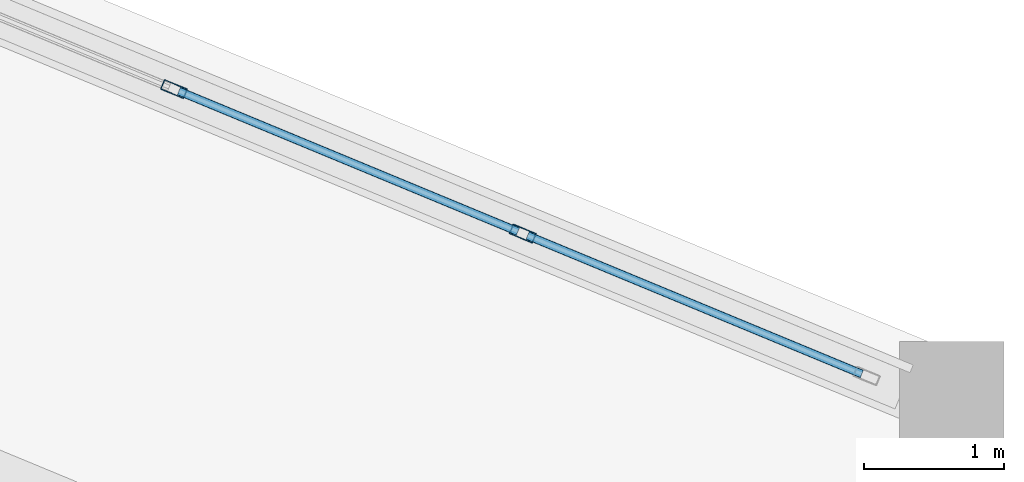
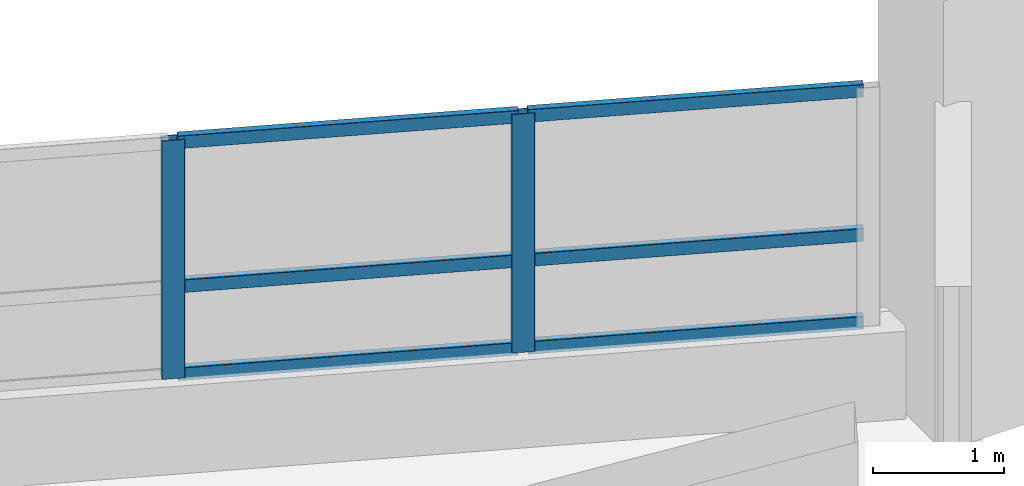
# One storey, part 70 of 128: 8 members, 1 element without a shape of its own.
"""IFC4 building model written with IfcOpenShell, lengths in metres."""

from ifc_helpers import new_model, si_unit, direction, frame, origin, origin_2d, place, context, subcontext, project, spatial, hollow_rectangle, extrude, material, layer, layer_set, material_profile, profile_set, type_object, element, aggregate, save


model = new_model("IFC4")

# Units and contexts
model_context = context("Model", 3, precision=1e-05, world=origin(), true_north=direction((0.0, 1.0)))
body_context = subcontext(model_context, "Body", "Model", "MODEL_VIEW")
ifc_project = project(units=[si_unit("LENGTHUNIT", "METRE"), si_unit("AREAUNIT", "SQUARE_METRE"), si_unit("VOLUMEUNIT", "CUBIC_METRE"), si_unit("PLANEANGLEUNIT", "RADIAN"), si_unit("MASSUNIT", "GRAM", prefix="KILO")], contexts=[model_context])

# Site, building, storey
site_placement = place(None, origin())
site = spatial("IfcSite", under=ifc_project, at=site_placement, CompositionType="ELEMENT")
building_placement = place(site_placement, origin())
building = spatial("IfcBuilding", under=site, at=building_placement, Name="Vespera Passage Community Centre", CompositionType="ELEMENT")
storey_placement = place(building_placement, frame((0.0, 0.0, 4.5)))
storey = spatial("IfcBuildingStorey", under=building, at=storey_placement, Name="L01", CompositionType="ELEMENT", Elevation=4.5)

# Curtain wall, members
ifc_material_1 = material(Name="Anodized aluminium 6063-T6", Category="aluminium")
ifc_layer = layer(ifc_material_1, 0.159912109375)
ifc_layer_set = layer_set([ifc_layer], Name="Anodized aluminium 6063-T6")
curtain_wall_type = type_object("IfcCurtainWallType", Name="CW-11E", PredefinedType="NOTDEFINED", material=ifc_layer_set)
curtain_wall_placement = place(storey_placement, origin())
curtain_wall = element("IfcCurtainWall", 1, at=curtain_wall_placement, inside=storey, type_object=curtain_wall_type, Name="V4 L01 Outer Ribbon Curtain Wall 4", PredefinedType="NOTDEFINED")
ifc_material_2 = material(Name="Anodized aluminium 6063-T6", Category="aluminium")
ifc_material_profile_1 = material_profile(ifc_material_2, hollow_rectangle(XDim=0.074951171875, YDim=0.179931640625, WallThickness=0.0048828125, InnerFilletRadius=0.00244140625, OuterFilletRadius=0.0048828125, at=origin_2d()), Name="ALU180X75X5")
ifc_profile_set_1 = profile_set([ifc_material_profile_1], Name="Anodized aluminium 6063-T6")
member_type_1 = type_object("IfcMemberType", Name="MB-CWM-180E", PredefinedType="MULLION", material=ifc_profile_set_1)
member_1_placement = place(storey_placement, frame((95.49072265625, 107.7265625, 0.820068359375), z_axis=(0.0, 0.0, 1.0), x_axis=(0.382682936255, 0.923879738007, 0.0)))
member_1 = element("IfcMember", 2, at=member_1_placement, type_object=member_type_1, Name="CW-11E mullion 3", PredefinedType="MULLION", context=body_context, shape_type="SweptSolid", body=[
    extrude(hollow_rectangle(XDim=0.074951171875, YDim=0.179931640625, WallThickness=0.0048828125, InnerFilletRadius=0.00244140625, OuterFilletRadius=0.0048828125, at=origin_2d()), origin(), (0.0, 0.0, 1.0), 2.2255859375),
])
member_2_placement = place(storey_placement, frame((97.983642578125, 106.69384765625, 0.820068359375), z_axis=(0.0, 0.0, 1.0), x_axis=(0.382682936255, 0.923879738007, 0.0)))
member_2 = element("IfcMember", 3, at=member_2_placement, type_object=member_type_1, Name="CW-11E mullion 4", PredefinedType="MULLION", context=body_context, shape_type="SweptSolid", body=[
    extrude(hollow_rectangle(XDim=0.074951171875, YDim=0.179931640625, WallThickness=0.0048828125, InnerFilletRadius=0.00244140625, OuterFilletRadius=0.0048828125, at=origin_2d()), origin(), (0.0, 0.0, 1.0), 2.2255859375),
])
ifc_material_3 = material(Name="Anodized aluminium 6063-T6", Category="aluminium")
ifc_material_profile_2 = material_profile(ifc_material_3, hollow_rectangle(XDim=0.06005859375, YDim=0.1201171875, WallThickness=0.00390625, InnerFilletRadius=0.001953125, OuterFilletRadius=0.00390625, at=origin_2d()), Name="ALU120X60X4")
ifc_profile_set_2 = profile_set([ifc_material_profile_2], Name="Anodized aluminium 6063-T6")
member_type_2 = type_object("IfcMemberType", Name="MB-CWT-120E", PredefinedType="USERDEFINED", material=ifc_profile_set_2)
member_3_placement = place(storey_placement, frame((95.525390625, 107.712158203125, 0.85009765625), z_axis=(0.92387617736, -0.382691532316, 0.0), x_axis=(0.382691532316, 0.92387617736, 0.0)))
member_3 = element("IfcMember", 4, at=member_3_placement, type_object=member_type_2, Name="CW-11E transom 3.1", ObjectType="TRANSOM", PredefinedType="USERDEFINED", context=body_context, shape_type="SweptSolid", body=[
    extrude(hollow_rectangle(XDim=0.06005859375, YDim=0.1201171875, WallThickness=0.00390625, InnerFilletRadius=0.001953125, OuterFilletRadius=0.00390625, at=origin_2d()), origin(), (0.0, 0.0, 1.0), 2.623291015625),
])
member_4_placement = place(storey_placement, frame((95.525390625, 107.712158203125, 1.669921875), z_axis=(0.92387617736, -0.382691532316, 0.0), x_axis=(0.382691532316, 0.92387617736, 0.0)))
member_4 = element("IfcMember", 5, at=member_4_placement, type_object=member_type_2, Name="CW-11E transom 3.2", ObjectType="TRANSOM", PredefinedType="USERDEFINED", context=body_context, shape_type="SweptSolid", body=[
    extrude(hollow_rectangle(XDim=0.06005859375, YDim=0.1201171875, WallThickness=0.00390625, InnerFilletRadius=0.001953125, OuterFilletRadius=0.00390625, at=origin_2d()), origin(), (0.0, 0.0, 1.0), 2.623291015625),
])
member_5_placement = place(storey_placement, frame((95.525390625, 107.712158203125, 3.015625), z_axis=(0.92387617736, -0.382691532316, 0.0), x_axis=(0.382691532316, 0.92387617736, 0.0)))
member_5 = element("IfcMember", 6, at=member_5_placement, type_object=member_type_2, Name="CW-11E transom 3.3", ObjectType="TRANSOM", PredefinedType="USERDEFINED", context=body_context, shape_type="SweptSolid", body=[
    extrude(hollow_rectangle(XDim=0.06005859375, YDim=0.1201171875, WallThickness=0.00390625, InnerFilletRadius=0.001953125, OuterFilletRadius=0.00390625, at=origin_2d()), origin(), (0.0, 0.0, 1.0), 2.623291015625),
])
member_6_placement = place(storey_placement, frame((98.018310546875, 106.6796875, 0.85009765625), z_axis=(0.923882193286, -0.382677008624, 0.0), x_axis=(0.382677008624, 0.923882193286, 0.0)))
member_6 = element("IfcMember", 7, at=member_6_placement, type_object=member_type_2, Name="CW-11E transom 4.1", ObjectType="TRANSOM", PredefinedType="USERDEFINED", context=body_context, shape_type="SweptSolid", body=[
    extrude(hollow_rectangle(XDim=0.06005859375, YDim=0.1201171875, WallThickness=0.00390625, InnerFilletRadius=0.001953125, OuterFilletRadius=0.00390625, at=origin_2d()), origin(), (0.0, 0.0, 1.0), 2.585693359375),
])
member_7_placement = place(storey_placement, frame((98.018310546875, 106.6796875, 1.669921875), z_axis=(0.923882193286, -0.382677008624, 0.0), x_axis=(0.382677008624, 0.923882193286, 0.0)))
member_7 = element("IfcMember", 8, at=member_7_placement, type_object=member_type_2, Name="CW-11E transom 4.2", ObjectType="TRANSOM", PredefinedType="USERDEFINED", context=body_context, shape_type="SweptSolid", body=[
    extrude(hollow_rectangle(XDim=0.06005859375, YDim=0.1201171875, WallThickness=0.00390625, InnerFilletRadius=0.001953125, OuterFilletRadius=0.00390625, at=origin_2d()), origin(), (0.0, 0.0, 1.0), 2.585693359375),
])
member_8_placement = place(storey_placement, frame((98.018310546875, 106.6796875, 3.015625), z_axis=(0.923882193286, -0.382677008624, 0.0), x_axis=(0.382677008624, 0.923882193286, 0.0)))
member_8 = element("IfcMember", 9, at=member_8_placement, type_object=member_type_2, Name="CW-11E transom 4.3", ObjectType="TRANSOM", PredefinedType="USERDEFINED", context=body_context, shape_type="SweptSolid", body=[
    extrude(hollow_rectangle(XDim=0.06005859375, YDim=0.1201171875, WallThickness=0.00390625, InnerFilletRadius=0.001953125, OuterFilletRadius=0.00390625, at=origin_2d()), origin(), (0.0, 0.0, 1.0), 2.585693359375),
])
aggregate(curtain_wall, [member_1, member_2, member_3, member_4, member_5, member_6, member_7, member_8])

save(model, "model.ifc")
